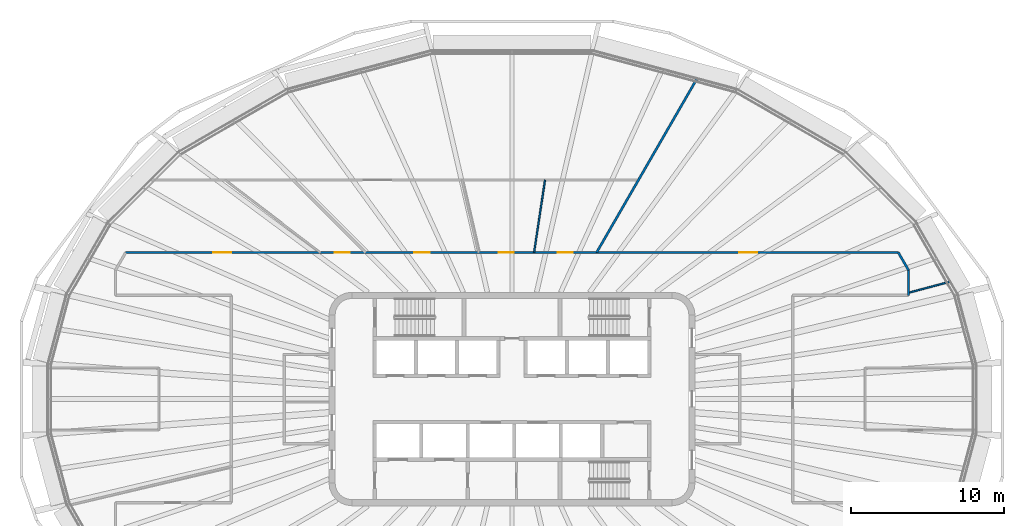
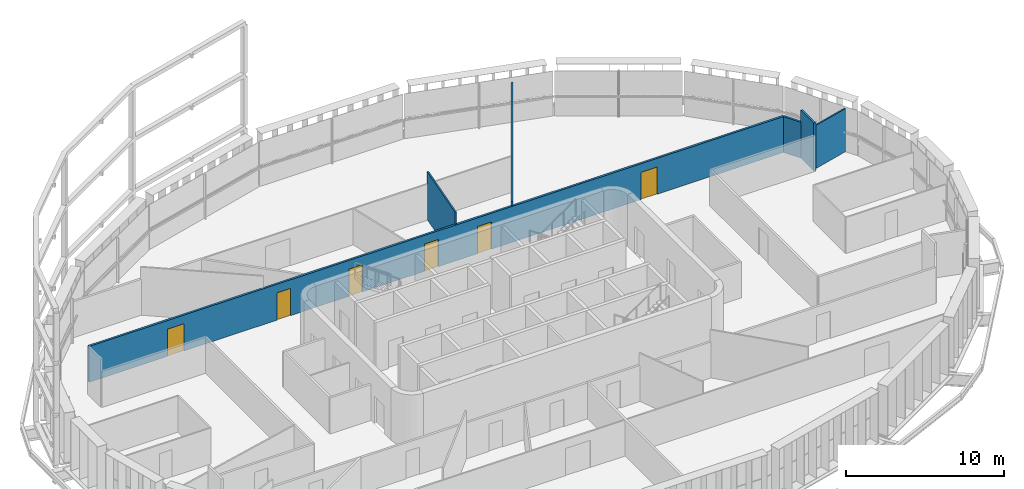
# One storey, part 12 of 20: 6 doors, 6 walls, 6 openings.
"""IFC4 building model written with IfcOpenShell, lengths in metres."""

from ifc_helpers import new_model, si_unit, direction, frame, frame_2d, origin, place, context, subcontext, project, spatial, rectangle, extrude, material, layer, layer_set, type_object, element, fill, save


model = new_model("IFC4")

# Units and contexts
model_context = context("Model", 3, precision=1e-05, world=origin(), true_north=direction((0.0, 1.0)))
body_context = subcontext(model_context, "Body", "Model", "MODEL_VIEW")
ifc_project = project(units=[si_unit("LENGTHUNIT", "METRE"), si_unit("AREAUNIT", "SQUARE_METRE"), si_unit("VOLUMEUNIT", "CUBIC_METRE"), si_unit("PLANEANGLEUNIT", "RADIAN"), si_unit("MASSUNIT", "GRAM", prefix="KILO")], contexts=[model_context])

# Site, building, storey
site_placement = place(None, origin())
site = spatial("IfcSite", under=ifc_project, at=site_placement, CompositionType="ELEMENT")
building_placement = place(site_placement, origin())
building = spatial("IfcBuilding", under=site, at=building_placement, Name="Sahrelin Media Tower", CompositionType="ELEMENT")
storey_placement = place(building_placement, frame((0.0, 0.0, 237.60009765625)))
storey = spatial("IfcBuildingStorey", under=building, at=storey_placement, Name="L51", CompositionType="ELEMENT", Elevation=237.60009765625)

# Wall
ifc_material_1 = material(Name="Fire-rated gypsum board partition")
ifc_layer_1 = layer(ifc_material_1, 0.14990234375)
ifc_layer_set_1 = layer_set([ifc_layer_1], Name="Fire-rated partition 150")
wall_type_1 = type_object("IfcWallType", Name="Fire-rated partition 150", PredefinedType="PARTITIONING", material=ifc_layer_set_1)
wall_1_placement = place(storey_placement, frame((25.3330078125, 9.60009765625, 0.0), z_axis=(0.0, 0.0, 1.0), x_axis=(0.500076310463, -0.865981341435, 0.0)))
element("IfcWall", 1, at=wall_1_placement, inside=storey, type_object=wall_type_1, Name="Wall", PredefinedType="PARTITIONING", context=body_context, shape_type="SweptSolid", body=[
    extrude(rectangle(XDim=1.333740234375, YDim=0.14990234375, at=frame_2d((0.6669921875, 0.0))), origin(), (0.0, 0.0, 1.0), 2.76806640625),
])

# Wall, openings, doors
wall_2_placement = place(storey_placement, frame((-25.3330078125, 9.60009765625, 0.0), z_axis=(0.0, 0.0, 1.0), x_axis=(1.0, 0.0, 0.0)))
wall_2 = element("IfcWall", 2, at=wall_2_placement, inside=storey, type_object=wall_type_1, Name="Wall", PredefinedType="PARTITIONING", context=body_context, shape_type="SweptSolid", body=[
    extrude(rectangle(XDim=50.666015625, YDim=0.14990234375, at=frame_2d((25.3330078125, 0.0))), origin(), (0.0, 0.0, 1.0), 2.76806640625),
])
opening_1_placement = place(wall_2_placement, frame((40.22119140625, 0.0, 0.0)))
opening_1 = element("IfcOpeningElement", 3, at=opening_1_placement, cuts=wall_2, Name="Opening L51-D17", PredefinedType="OPENING", context=body_context, shape_type="SweptSolid", body=[
    extrude(rectangle(XDim=1.199951171875, YDim=2.10009765625, at=frame_2d((0.60009765625, 1.050048828125))), frame((0.0, 0.074951171875, 0.0), z_axis=(0.0, -1.0, 0.0), x_axis=(1.0, 0.0, 0.0)), (0.0, 0.0, 1.0), 0.14990234375),
])
opening_2_placement = place(wall_2_placement, frame((28.327880859375, 0.0, 0.0)))
opening_2 = element("IfcOpeningElement", 4, at=opening_2_placement, cuts=wall_2, Name="Opening L51-D19", PredefinedType="OPENING", context=body_context, shape_type="SweptSolid", body=[
    extrude(rectangle(XDim=1.0, YDim=2.10009765625, at=frame_2d((0.5, 1.050048828125))), frame((0.0, 0.074951171875, 0.0), z_axis=(0.0, -1.0, 0.0), x_axis=(1.0, 0.0, 0.0)), (0.0, 0.0, 1.0), 0.14990234375),
])
opening_3_placement = place(wall_2_placement, frame((24.4609375, 0.0, 0.0)))
opening_3 = element("IfcOpeningElement", 5, at=opening_3_placement, cuts=wall_2, Name="Opening L51-D20", PredefinedType="OPENING", context=body_context, shape_type="SweptSolid", body=[
    extrude(rectangle(XDim=1.0, YDim=2.10009765625, at=frame_2d((0.5, 1.050048828125))), frame((0.0, 0.074951171875, 0.0), z_axis=(0.0, -1.0, 0.0), x_axis=(1.0, 0.0, 0.0)), (0.0, 0.0, 1.0), 0.14990234375),
])
opening_4_placement = place(wall_2_placement, frame((18.9375, 0.0, 0.0)))
opening_4 = element("IfcOpeningElement", 6, at=opening_4_placement, cuts=wall_2, Name="Opening L51-D21", PredefinedType="OPENING", context=body_context, shape_type="SweptSolid", body=[
    extrude(rectangle(XDim=1.0, YDim=2.10009765625, at=frame_2d((0.5, 1.050048828125))), frame((0.0, 0.074951171875, 0.0), z_axis=(0.0, -1.0, 0.0), x_axis=(1.0, 0.0, 0.0)), (0.0, 0.0, 1.0), 0.14990234375),
])
opening_5_placement = place(wall_2_placement, frame((13.6953125, 0.0, 0.0)))
opening_5 = element("IfcOpeningElement", 7, at=opening_5_placement, cuts=wall_2, Name="Opening L51-D23", PredefinedType="OPENING", context=body_context, shape_type="SweptSolid", body=[
    extrude(rectangle(XDim=1.0, YDim=2.10009765625, at=frame_2d((0.5, 1.050048828125))), frame((0.0, 0.074951171875, 0.0), z_axis=(0.0, -1.0, 0.0), x_axis=(1.0, 0.0, 0.0)), (0.0, 0.0, 1.0), 0.14990234375),
])
opening_6_placement = place(wall_2_placement, frame((5.733154296875, 0.0, 0.0)))
opening_6 = element("IfcOpeningElement", 8, at=opening_6_placement, cuts=wall_2, Name="Opening L51-D24", PredefinedType="OPENING", context=body_context, shape_type="SweptSolid", body=[
    extrude(rectangle(XDim=1.199951171875, YDim=2.10009765625, at=frame_2d((0.60009765625, 1.050048828125))), frame((0.0, 0.074951171875, 0.0), z_axis=(0.0, -1.0, 0.0), x_axis=(1.0, 0.0, 0.0)), (0.0, 0.0, 1.0), 0.14990234375),
])
ifc_material_2 = material(Name="Steel fire door leaf", Category="steel")
door_type_1 = type_object("IfcDoorType", Name="Fire door 1000 x 2100 EI 60", OperationType="NOTDEFINED", PredefinedType="DOOR", material=ifc_material_2)
door_1_placement = place(opening_2_placement, origin())
door_1 = element("IfcDoor", 9, at=door_1_placement, inside=storey, type_object=door_type_1, Name="Fire door", OperationType="SINGLE_SWING_RIGHT", OverallHeight=2.10009765625, OverallWidth=1.0, PredefinedType="DOOR", context=body_context, shape_type="SweptSolid", body=[
    extrude(rectangle(XDim=1.0, YDim=2.10009765625, at=frame_2d((0.5, 1.050048828125))), frame((0.0, 0.02490234375, 0.0), z_axis=(0.0, -1.0, 0.0), x_axis=(1.0, 0.0, 0.0)), (0.0, 0.0, 1.0), 0.050048828125),
])
fill(opening_2, door_1)
door_2_placement = place(opening_3_placement, origin())
door_2 = element("IfcDoor", 10, at=door_2_placement, inside=storey, type_object=door_type_1, Name="Fire door", OperationType="SINGLE_SWING_LEFT", OverallHeight=2.10009765625, OverallWidth=1.0, PredefinedType="DOOR", context=body_context, shape_type="SweptSolid", body=[
    extrude(rectangle(XDim=1.0, YDim=2.10009765625, at=frame_2d((0.5, 1.050048828125))), frame((0.0, 0.02490234375, 0.0), z_axis=(0.0, -1.0, 0.0), x_axis=(1.0, 0.0, 0.0)), (0.0, 0.0, 1.0), 0.050048828125),
])
fill(opening_3, door_2)
door_3_placement = place(opening_4_placement, origin())
door_3 = element("IfcDoor", 11, at=door_3_placement, inside=storey, type_object=door_type_1, Name="Fire door", OperationType="SINGLE_SWING_RIGHT", OverallHeight=2.10009765625, OverallWidth=1.0, PredefinedType="DOOR", context=body_context, shape_type="SweptSolid", body=[
    extrude(rectangle(XDim=1.0, YDim=2.10009765625, at=frame_2d((0.5, 1.050048828125))), frame((0.0, 0.02490234375, 0.0), z_axis=(0.0, -1.0, 0.0), x_axis=(1.0, 0.0, 0.0)), (0.0, 0.0, 1.0), 0.050048828125),
])
fill(opening_4, door_3)
door_4_placement = place(opening_5_placement, origin())
door_4 = element("IfcDoor", 12, at=door_4_placement, inside=storey, type_object=door_type_1, Name="Fire door", OperationType="SINGLE_SWING_RIGHT", OverallHeight=2.10009765625, OverallWidth=1.0, PredefinedType="DOOR", context=body_context, shape_type="SweptSolid", body=[
    extrude(rectangle(XDim=1.0, YDim=2.10009765625, at=frame_2d((0.5, 1.050048828125))), frame((0.0, 0.02490234375, 0.0), z_axis=(0.0, -1.0, 0.0), x_axis=(1.0, 0.0, 0.0)), (0.0, 0.0, 1.0), 0.050048828125),
])
fill(opening_5, door_4)
door_type_2 = type_object("IfcDoorType", Name="Service double door 1200 x 2100 EI 60", OperationType="DOUBLE_DOOR_SINGLE_SWING", PredefinedType="DOOR", material=ifc_material_2)
door_5_placement = place(opening_1_placement, origin())
door_5 = element("IfcDoor", 13, at=door_5_placement, inside=storey, type_object=door_type_2, Name="Service double door", OperationType="DOUBLE_DOOR_SINGLE_SWING", OverallHeight=2.10009765625, OverallWidth=1.199951171875, PredefinedType="DOOR", context=body_context, shape_type="SweptSolid", body=[
    extrude(rectangle(XDim=1.199951171875, YDim=2.10009765625, at=frame_2d((0.60009765625, 1.050048828125))), frame((0.0, 0.02490234375, 0.0), z_axis=(0.0, -1.0, 0.0), x_axis=(1.0, 0.0, 0.0)), (0.0, 0.0, 1.0), 0.050048828125),
])
fill(opening_1, door_5)
door_6_placement = place(opening_6_placement, origin())
door_6 = element("IfcDoor", 14, at=door_6_placement, inside=storey, type_object=door_type_2, Name="Service double door", OperationType="DOUBLE_DOOR_SINGLE_SWING", OverallHeight=2.10009765625, OverallWidth=1.199951171875, PredefinedType="DOOR", context=body_context, shape_type="SweptSolid", body=[
    extrude(rectangle(XDim=1.199951171875, YDim=2.10009765625, at=frame_2d((0.60009765625, 1.050048828125))), frame((0.0, 0.02490234375, 0.0), z_axis=(0.0, -1.0, 0.0), x_axis=(1.0, 0.0, 0.0)), (0.0, 0.0, 1.0), 0.050048828125),
])
fill(opening_6, door_6)

# Walls
wall_3_placement = place(storey_placement, frame((5.54296875, 9.60009765625, 0.0), z_axis=(0.0, 0.0, 1.0), x_axis=(0.500044242988, 0.865999858577, 0.0)))
element("IfcWall", 15, at=wall_3_placement, inside=storey, type_object=wall_type_1, Name="Wall", PredefinedType="PARTITIONING", context=body_context, shape_type="SweptSolid", body=[
    extrude(rectangle(XDim=13.178466796875, YDim=0.14990234375, at=frame_2d((6.58935546875, 0.0))), origin(), (0.0, 0.0, 1.0), 3.077392578125),
])
wall_4_placement = place(storey_placement, frame((26.0, 6.800048828125, 0.0), z_axis=(0.0, 0.0, 1.0), x_axis=(0.0, 1.0, 0.0)))
element("IfcWall", 16, at=wall_4_placement, inside=storey, type_object=wall_type_1, Name="Wall", PredefinedType="PARTITIONING", context=body_context, shape_type="SweptSolid", body=[
    extrude(rectangle(XDim=1.64501953125, YDim=0.14990234375, at=frame_2d((0.822509765625, 0.0))), origin(), (0.0, 0.0, 1.0), 3.699951171875),
])
ifc_material_3 = material(Name="Gypsum board partition")
ifc_layer_2 = layer(ifc_material_3, 0.10009765625)
ifc_layer_set_2 = layer_set([ifc_layer_2], Name="Partition 100")
wall_type_2 = type_object("IfcWallType", Name="Partition 100", PredefinedType="PARTITIONING", material=ifc_layer_set_2)
wall_5_placement = place(storey_placement, frame((26.0, 6.966064453125, 0.0), z_axis=(0.0, 0.0, 1.0), x_axis=(0.965951508514, 0.258723178704, 0.0)))
element("IfcWall", 17, at=wall_5_placement, inside=storey, type_object=wall_type_2, Name="Wall", PredefinedType="PARTITIONING", context=body_context, shape_type="SweptSolid", body=[
    extrude(rectangle(XDim=2.836669921875, YDim=0.10009765625, at=frame_2d((1.41845703125, 0.0))), origin(), (0.0, 0.0, 1.0), 3.324951171875),
])
wall_6_placement = place(storey_placement, frame((1.447021484375, 9.60009765625, 0.0), z_axis=(0.0, 0.0, 1.0), x_axis=(0.149156325557, 0.988813627812, 0.0)))
element("IfcWall", 18, at=wall_6_placement, inside=storey, type_object=wall_type_2, Name="Wall", PredefinedType="PARTITIONING", context=body_context, shape_type="SweptSolid", body=[
    extrude(rectangle(XDim=4.81396484375, YDim=0.10009765625, at=frame_2d((2.406982421875, 0.0))), origin(), (0.0, 0.0, 1.0), 3.699951171875),
])

save(model, "model.ifc")
